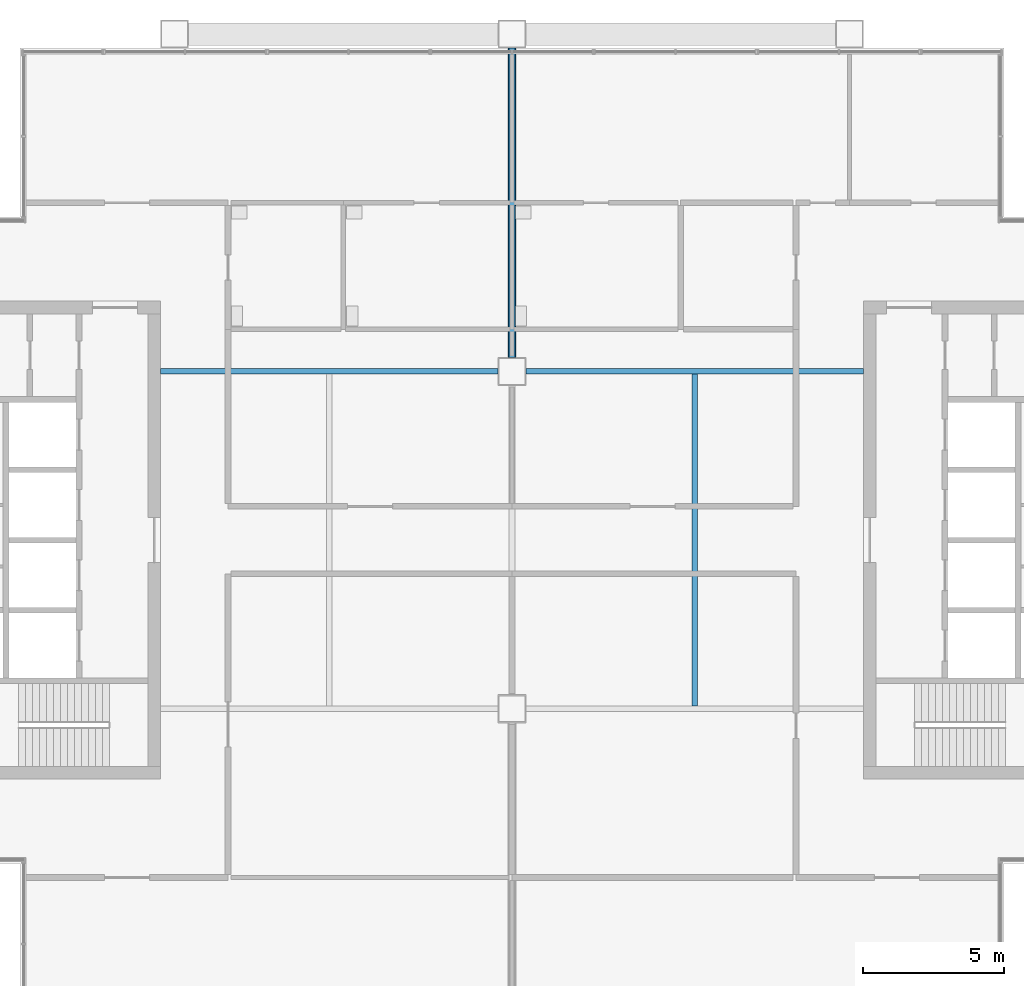
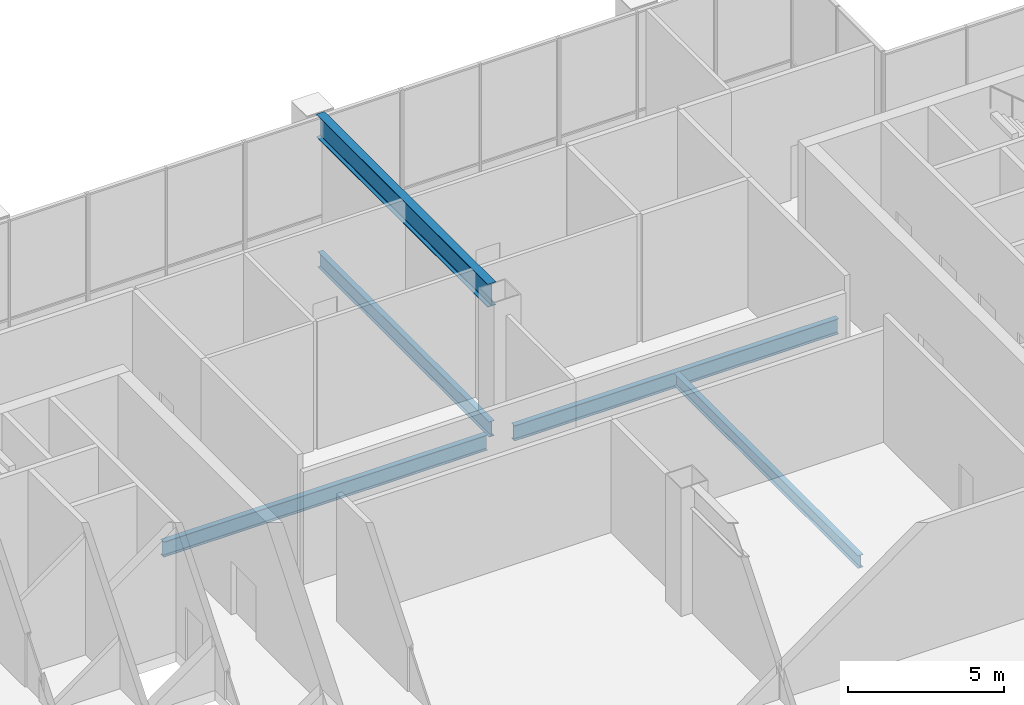
# One storey, part 5 of 15: 5 beams.
"""IFC4 building model written with IfcOpenShell, lengths in metres."""

import ifcopenshell
import ifcopenshell.guid

model = None  # the IFC model being written
_history = None  # IfcOwnerHistory: only IFC2X3 demands one
_inside = {}  # id of a spatial element -> (the spatial element, [elements in it])
_under = {}  # id of a project, library or spatial element -> (it, [spatial elements below it])
_declared = {}  # id of a project -> (the project, [libraries it declares])
_typed = {}  # id of a type object -> (the type object, [elements of that type])
_made_of = {}  # id of a material, layer set ... -> (it, [elements and type objects made of it])


def new_model(schema):
    """Start an empty IFC model of exactly this schema.

    Asked for "IFC4X3", IfcOpenShell would pick the latest addendum, in which some entities
    have other attributes; the version numbers below select the first issue.
    IFC2X3 requires an IfcOwnerHistory on every rooted entity: one is made here for all.
    """
    global model, _history
    if schema == "IFC4X3":
        model = ifcopenshell.file(schema_version=(4, 3, 0, 0))
    else:
        model = ifcopenshell.file(schema=schema)
    _inside.clear()
    _under.clear()
    _declared.clear()
    _typed.clear()
    _made_of.clear()
    _history = None
    if model.schema == "IFC2X3":
        org = make("IfcOrganization", Name="unknown")
        user = make(
            "IfcPersonAndOrganization",
            ThePerson=make("IfcPerson", FamilyName="unknown"),
            TheOrganization=org,
        )
        app = make(
            "IfcApplication",
            ApplicationDeveloper=org,
            Version="unknown",
            ApplicationFullName="unknown",
            ApplicationIdentifier="unknown",
        )
        _history = make(
            "IfcOwnerHistory",
            OwningUser=user,
            OwningApplication=app,
            ChangeAction="ADDED",
            CreationDate=0,
        )
    return model


def make(cls, **values):
    """One entity of the class cls with the attributes given. An attribute that is None is left unset."""
    return model.create_entity(
        cls, **{name: value for name, value in values.items() if value is not None}
    )


def rooted(cls, **values):
    """An entity with a GlobalId (a new one), such as an element, a storey or a relation."""
    return make(cls, GlobalId=ifcopenshell.guid.new(), OwnerHistory=_history, **values)


def si_unit(unit_type, name, prefix=None):
    """IfcSIUnit, for example si_unit("LENGTHUNIT", "METRE", prefix="MILLI")."""
    return make("IfcSIUnit", UnitType=unit_type, Prefix=prefix, Name=name)


def assignment(units):
    """IfcUnitAssignment: the units of a project."""
    return None if units is None else make("IfcUnitAssignment", Units=units)


def point(xyz):
    """IfcCartesianPoint."""
    return None if xyz is None else make("IfcCartesianPoint", Coordinates=xyz)


def direction(xyz):
    """IfcDirection."""
    return None if xyz is None else make("IfcDirection", DirectionRatios=xyz)


def frame(location, z_axis=None, x_axis=None):
    """IfcAxis2Placement3D, a coordinate frame: its origin and axes. An axis left out is left unset."""
    return make(
        "IfcAxis2Placement3D",
        Location=point(location),
        Axis=direction(z_axis),
        RefDirection=direction(x_axis),
    )


def frame_2d(location, x_axis=None):
    """IfcAxis2Placement2D, a coordinate frame in the plane: its origin and x axis."""
    return make(
        "IfcAxis2Placement2D", Location=point(location), RefDirection=direction(x_axis)
    )


def origin():
    """The frame at (0, 0, 0) with its axes left unset."""
    return frame((0.0, 0.0, 0.0))


def origin_2d():
    """The frame at (0, 0) in the plane with its x axis left unset."""
    return frame_2d((0.0, 0.0))


def place(relative_to, where):
    """IfcLocalPlacement: puts the frame where relative to a parent placement (None: the world)."""
    return make(
        "IfcLocalPlacement", PlacementRelTo=relative_to, RelativePlacement=where
    )


def context(
    kind, dimensions, precision=None, world=None, true_north=None, identifier=None
):
    """IfcGeometricRepresentationContext, for example the 3D "Model" context."""
    return make(
        "IfcGeometricRepresentationContext",
        ContextIdentifier=identifier,
        ContextType=kind,
        CoordinateSpaceDimension=dimensions,
        Precision=precision,
        WorldCoordinateSystem=world,
        TrueNorth=true_north,
    )


def subcontext(parent, identifier, kind, view, scale=None):
    """IfcGeometricRepresentationSubContext, for example "Body" below "Model"."""
    return make(
        "IfcGeometricRepresentationSubContext",
        ContextIdentifier=identifier,
        ContextType=kind,
        ParentContext=parent,
        TargetScale=scale,
        TargetView=view,
    )


def project(units=None, contexts=None):
    """IfcProject with its units and contexts."""
    return rooted(
        "IfcProject",
        Name="project",
        RepresentationContexts=contexts,
        UnitsInContext=assignment(units),
    )


def spatial(cls, under=None, at=None, **own):
    """A site, building, storey or space (cls), placed at a placement, below another one or the project."""
    s = rooted(cls, ObjectPlacement=at, **own)
    if under is not None:
        _under.setdefault(under.id(), (under, []))[1].append(s)
    return s


def profile(cls, at=None, kind="AREA", **sizes):
    """A parametric profile (cls). Its sizes go by their IFC names, for example OverallWidth=200.0."""
    return make(cls, ProfileType=kind, Position=at, **sizes)


def i_section(**sizes):
    """IfcIShapeProfileDef."""
    return profile("IfcIShapeProfileDef", **sizes)


def extrude(swept, where, along, depth):
    """IfcExtrudedAreaSolid: the profile swept, set in the frame where, extruded along a direction by depth."""
    return make(
        "IfcExtrudedAreaSolid",
        SweptArea=swept,
        Position=where,
        ExtrudedDirection=direction(along),
        Depth=depth,
    )


def shape(context_of_items, identifier, shape_type, items):
    """IfcShapeRepresentation: the items that make up one representation, for example the "Body"."""
    return make(
        "IfcShapeRepresentation",
        ContextOfItems=context_of_items,
        RepresentationIdentifier=identifier,
        RepresentationType=shape_type,
        Items=items,
    )


def material(Name=None, Category=None):
    """IfcMaterial."""
    return make("IfcMaterial", Name=Name, Category=Category)


def material_profile(
    of_material, cross_section, Name=None, Category=None, Priority=None
):
    """IfcMaterialProfile: a cross section and its material."""
    return make(
        "IfcMaterialProfile",
        Name=Name,
        Material=of_material,
        Profile=cross_section,
        Priority=Priority,
        Category=Category,
    )


def profile_set(profiles, Name=None, composite=None):
    """IfcMaterialProfileSet."""
    return make(
        "IfcMaterialProfileSet",
        Name=Name,
        MaterialProfiles=profiles,
        CompositeProfile=composite,
    )


def made_of(thing, what):
    """Note that an element or type object is made of a material, layer set ...; save() writes the relation."""
    if what is not None:
        _made_of.setdefault(what.id(), (what, []))[1].append(thing)
    return thing


def type_object(cls, material=None, **own):
    """A type object (cls), such as IfcWallType, which elements share."""
    return made_of(rooted(cls, **own), material)


def element(
    cls,
    number,
    at=None,
    inside=None,
    cuts=None,
    type_object=None,
    material=None,
    context=None,
    identifier="Body",
    shape_type=None,
    held_by="IfcProductDefinitionShape",
    body=None,
    shapes=None,
    **own,
):
    """One element of the class cls, such as IfcWall. Its Tag is "e" and its number.

    at: its placement. inside: the storey or other place that contains it. cuts: it is an
    opening in that element (IfcRelVoidsElement). A single representation is given by context,
    identifier, shape_type and body (its items); several are given by shapes. held_by: the class
    of the entity that holds the representations. save() writes the other relations.
    """
    e = rooted(cls, Tag="e%d" % number, ObjectPlacement=at, **own)
    if body is not None:
        shapes = [shape(context, identifier, shape_type, body)]
    if shapes is not None:
        e.Representation = make(held_by, Representations=shapes)
    if inside is not None:
        _inside.setdefault(inside.id(), (inside, []))[1].append(e)
    if cuts is not None:
        rooted(
            "IfcRelVoidsElement", RelatingBuildingElement=cuts, RelatedOpeningElement=e
        )
    if type_object is not None:
        _typed.setdefault(type_object.id(), (type_object, []))[1].append(e)
    return made_of(e, material)


def aggregate(whole, parts):
    """IfcRelAggregates: a whole, such as a stair, and the parts it consists of."""
    return rooted("IfcRelAggregates", RelatingObject=whole, RelatedObjects=parts)


def save(model, path):
    """Write the relations noted so far, then the file.

    IfcRelAggregates (storeys below a building ...), IfcRelContainedInSpatialStructure (elements
    in a storey), IfcRelDefinesByType, IfcRelAssociatesMaterial and IfcRelDeclares: one each for
    every whole, place, type object, material and project.
    """
    for whole, parts in _under.values():
        aggregate(whole, parts)
    for where, things in _inside.values():
        rooted(
            "IfcRelContainedInSpatialStructure",
            RelatedElements=things,
            RelatingStructure=where,
        )
    for kind, things in _typed.values():
        rooted("IfcRelDefinesByType", RelatedObjects=things, RelatingType=kind)
    for what, things in _made_of.values():
        rooted("IfcRelAssociatesMaterial", RelatedObjects=things, RelatingMaterial=what)
    for by, libraries in _declared.values():
        rooted("IfcRelDeclares", RelatingContext=by, RelatedDefinitions=libraries)
    model.write(path)


model = new_model("IFC4")

# Units and contexts
model_context = context("Model", 3, precision=1e-05, world=origin(), true_north=direction((0.0, 1.0)))
body_context = subcontext(model_context, "Body", "Model", "MODEL_VIEW")
ifc_project = project(units=[si_unit("LENGTHUNIT", "METRE"), si_unit("AREAUNIT", "SQUARE_METRE"), si_unit("VOLUMEUNIT", "CUBIC_METRE"), si_unit("PLANEANGLEUNIT", "RADIAN"), si_unit("MASSUNIT", "GRAM", prefix="KILO")], contexts=[model_context])

# Site, building, storey
site_placement = place(None, origin())
site = spatial("IfcSite", under=ifc_project, at=site_placement, CompositionType="ELEMENT")
building_placement = place(site_placement, origin())
building = spatial("IfcBuilding", under=site, at=building_placement, Name="Kitamizu Gate Tower and Museum", CompositionType="ELEMENT")
storey_placement = place(building_placement, frame((0.0, 0.0, 277.949951171875)))
storey = spatial("IfcBuildingStorey", under=building, at=storey_placement, Name="L75", CompositionType="ELEMENT", Elevation=277.949951171875)

# Beams
ifc_material_1 = material(Name="Steel SM490A", Category="steel")
ifc_material_profile_1 = material_profile(ifc_material_1, i_section(OverallWidth=0.199951171875, OverallDepth=0.5, WebThickness=0.010009765625, FlangeThickness=0.01611328125, FilletRadius=0.02001953125, at=origin_2d()), Name="H-500x200x10x16")
ifc_profile_set_1 = profile_set([ifc_material_profile_1], Name="Steel SM490A")
beam_type_1 = type_object("IfcBeamType", Name="Floor beam FB1 H 500x200x10x16", PredefinedType="BEAM", material=ifc_profile_set_1)
beam_1_placement = place(storey_placement, frame((42.5, 24.10009765625, -0.64990234375), z_axis=(0.0, 1.0, 0.0), x_axis=(-1.0, 0.0, 0.0)))
element("IfcBeam", 1, at=beam_1_placement, inside=storey, type_object=beam_type_1, Name="Floor beam FB1 L75-2", PredefinedType="BEAM", context=body_context, shape_type="SweptSolid", body=[
    extrude(i_section(OverallWidth=0.199951171875, OverallDepth=0.5, WebThickness=0.010009765625, FlangeThickness=0.01611328125, FilletRadius=0.02001953125, at=origin_2d()), origin(), (0.0, 0.0, 1.0), 11.7998046875),
])
ifc_material_2 = material(Name="Steel SM490A", Category="steel")
ifc_material_profile_2 = material_profile(ifc_material_2, i_section(OverallWidth=0.199951171875, OverallDepth=0.60009765625, WebThickness=0.010986328125, FlangeThickness=0.01708984375, FilletRadius=0.02197265625, at=origin_2d()), Name="H-600x200x11x17")
ifc_profile_set_2 = profile_set([ifc_material_profile_2], Name="Steel SM490A")
beam_type_2 = type_object("IfcBeamType", Name="Floor girder FG1 H 600x200x11x17", PredefinedType="BEAM", material=ifc_profile_set_2)
beam_2_placement = place(storey_placement, frame((36.0, 36.5, -0.699951171875), z_axis=(0.0, 1.0, 0.0), x_axis=(-1.0, 0.0, 0.0)))
element("IfcBeam", 2, at=beam_2_placement, inside=storey, type_object=beam_type_2, Name="Floor girder FG1 x36 L75", PredefinedType="BEAM", context=body_context, shape_type="SweptSolid", body=[
    extrude(i_section(OverallWidth=0.199951171875, OverallDepth=0.60009765625, WebThickness=0.010986328125, FlangeThickness=0.01708984375, FilletRadius=0.02197265625, at=origin_2d()), origin(), (0.0, 0.0, 1.0), 11.0),
])
for number, where, z_axis, x_axis, name in (
    (3, (23.5, 36.0, -0.699951171875), (1.0, 0.0, 0.0), (0.0, 1.0, 0.0), "Floor girder FG1 y36 L75"),
    (4, (36.5, 36.0, -0.699951171875), (1.0, 0.0, 0.0), (0.0, 1.0, 0.0), "Floor girder FG1 y36 L75"),
):
    element("IfcBeam", number, at=place(storey_placement, frame(where, z_axis=z_axis, x_axis=x_axis)), inside=storey, type_object=beam_type_2, Name=name, PredefinedType="BEAM", context=body_context, shape_type="SweptSolid", body=[
        extrude(i_section(OverallWidth=0.199951171875, OverallDepth=0.60009765625, WebThickness=0.010986328125, FlangeThickness=0.01708984375, FilletRadius=0.02197265625, at=origin_2d()), origin(), (0.0, 0.0, 1.0), 12.0),
    ])
ifc_material_3 = material(Name="Steel SM490A", Category="steel")
ifc_material_profile_3 = material_profile(ifc_material_3, i_section(OverallWidth=0.300048828125, OverallDepth=0.89990234375, WebThickness=0.01611328125, FlangeThickness=0.028076171875, FilletRadius=0.028076171875, at=origin_2d()), Name="H-900x300x16x28")
ifc_profile_set_3 = profile_set([ifc_material_profile_3], Name="Steel SM490A")
beam_type_3 = type_object("IfcBeamType", Name="Terrace girder TG1 H 900x300x16x28", PredefinedType="BEAM", material=ifc_profile_set_3)
beam_3_placement = place(storey_placement, frame((36.0, 47.5, 4.550048828125), z_axis=(0.0, -1.0, 0.0), x_axis=(1.0, 0.0, 0.0)))
element("IfcBeam", 5, at=beam_3_placement, inside=storey, type_object=beam_type_3, Name="Terrace girder N", PredefinedType="BEAM", context=body_context, shape_type="SweptSolid", body=[
    extrude(i_section(OverallWidth=0.300048828125, OverallDepth=0.89990234375, WebThickness=0.01611328125, FlangeThickness=0.028076171875, FilletRadius=0.028076171875, at=origin_2d()), origin(), (0.0, 0.0, 1.0), 11.0),
])

save(model, "model.ifc")
